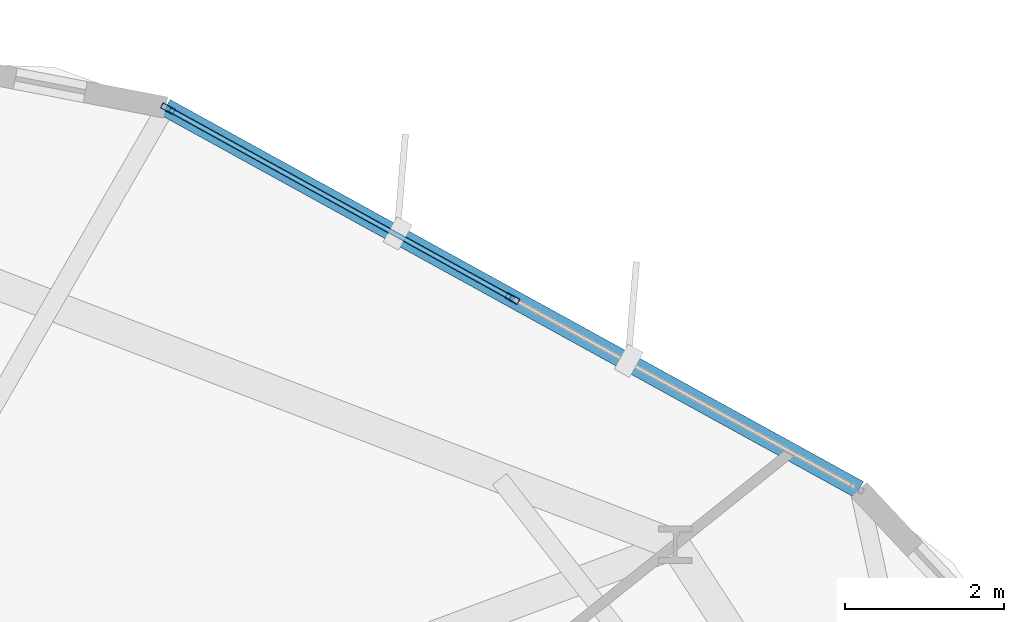
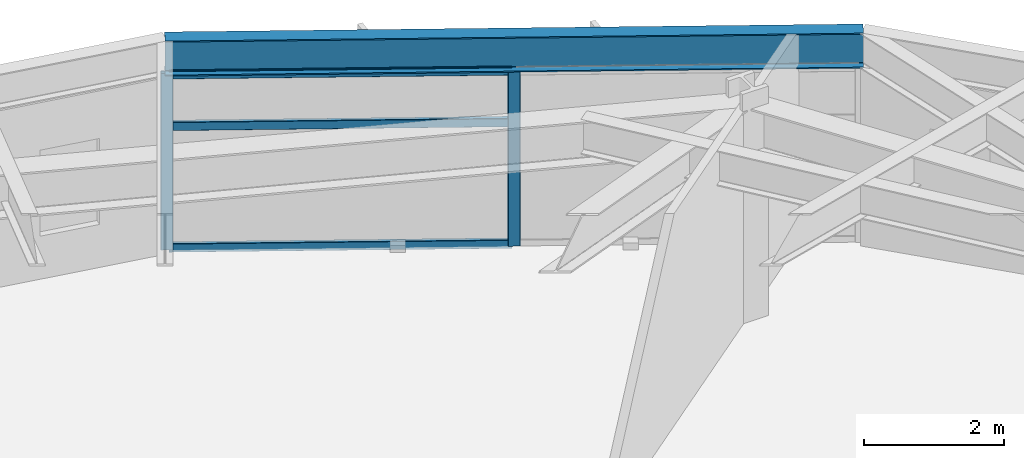
# One storey, part 13 of 22: 5 members, 1 beam, 1 element without a shape of its own.
"""IFC4 building model written with IfcOpenShell, lengths in metres."""

from ifc_helpers import new_model, si_unit, direction, frame, origin, origin_2d, place, context, subcontext, project, spatial, hollow_rectangle, i_section, extrude, material, layer, layer_set, material_profile, profile_set, type_object, element, aggregate, save


model = new_model("IFC4")

# Units and contexts
model_context = context("Model", 3, precision=1e-05, world=origin(), true_north=direction((0.0, 1.0)))
body_context = subcontext(model_context, "Body", "Model", "MODEL_VIEW")
ifc_project = project(units=[si_unit("LENGTHUNIT", "METRE"), si_unit("AREAUNIT", "SQUARE_METRE"), si_unit("VOLUMEUNIT", "CUBIC_METRE"), si_unit("PLANEANGLEUNIT", "RADIAN"), si_unit("MASSUNIT", "GRAM", prefix="KILO")], contexts=[model_context])

# Site, building, storey
site_placement = place(None, origin())
site = spatial("IfcSite", under=ifc_project, at=site_placement, CompositionType="ELEMENT")
building_placement = place(site_placement, origin())
building = spatial("IfcBuilding", under=site, at=building_placement, Name="Soratama Intermodal Tower", CompositionType="ELEMENT")
storey_placement = place(building_placement, frame((0.0, 0.0, 54.60009765625)))
storey = spatial("IfcBuildingStorey", under=building, at=storey_placement, Name="L12", CompositionType="ELEMENT", Elevation=54.60009765625)

# Beam
ifc_material_1 = material(Name="Structural steel ASTM A992 Grade 50", Category="steel")
ifc_material_profile_1 = material_profile(ifc_material_1, i_section(OverallWidth=0.22900390625, OverallDepth=0.612060546875, WebThickness=0.011962890625, FlangeThickness=0.01953125, FilletRadius=0.012939453125, at=origin_2d()), Name="W24X84")
ifc_profile_set_1 = profile_set([ifc_material_profile_1], Name="Structural steel ASTM A992 Grade 50")
beam_type = type_object("IfcBeamType", Name="BM-SPN-W24X84", PredefinedType="SPANDREL", material=ifc_profile_set_1)
beam_placement = place(storey_placement, frame((59.09912109375, 40.2451171875, 3.393798828125), z_axis=(-0.87584374358, 0.482594795694, 0.0), x_axis=(-0.482594795694, -0.87584374358, 0.0)))
element("IfcBeam", 1, at=beam_placement, inside=storey, type_object=beam_type, Name="BS-L12-F02", PredefinedType="SPANDREL", context=body_context, shape_type="SweptSolid", body=[
    extrude(i_section(OverallWidth=0.22900390625, OverallDepth=0.612060546875, WebThickness=0.011962890625, FlangeThickness=0.01953125, FilletRadius=0.012939453125, at=origin_2d()), origin(), (0.0, 0.0, 1.0), 9.979248046875),
])

# Curtain wall, members
ifc_material_2 = material(Name="Double-glazed aluminium curtain wall", Category="aluminium")
ifc_layer = layer(ifc_material_2, 0.159912109375)
ifc_layer_set = layer_set([ifc_layer], Name="Double-glazed aluminium curtain wall")
curtain_wall_type = type_object("IfcCurtainWallType", Name="CW-SYS-2", PredefinedType="NOTDEFINED", material=ifc_layer_set)
curtain_wall_placement = place(storey_placement, origin())
curtain_wall = element("IfcCurtainWall", 2, at=curtain_wall_placement, inside=storey, type_object=curtain_wall_type, Name="L12 Faceted Curtain Wall F02", PredefinedType="NOTDEFINED")
ifc_material_3 = material(Name="Anodised aluminium AA 6063-T6", Category="aluminium")
ifc_material_profile_2 = material_profile(ifc_material_3, hollow_rectangle(XDim=0.074951171875, YDim=0.179931640625, WallThickness=0.006103515625, InnerFilletRadius=0.006103515625, OuterFilletRadius=0.011962890625, at=origin_2d()), Name="CWM180X75X6")
ifc_profile_set_2 = profile_set([ifc_material_profile_2], Name="Anodised aluminium AA 6063-T6")
member_type_1 = type_object("IfcMemberType", Name="MT-CWM-2", PredefinedType="MULLION", material=ifc_profile_set_2)
member_1_placement = place(storey_placement, frame((54.728759765625, 42.65283203125, 0.0), z_axis=(0.0, 0.0, 1.0), x_axis=(-0.482677542899, -0.875798144313, 0.0)))
member_1 = element("IfcMember", 3, at=member_1_placement, type_object=member_type_1, Name="CW-2 mullion 2", PredefinedType="MULLION", context=body_context, shape_type="SweptSolid", body=[
    extrude(hollow_rectangle(XDim=0.074951171875, YDim=0.179931640625, WallThickness=0.006103515625, InnerFilletRadius=0.006103515625, OuterFilletRadius=0.011962890625, at=origin_2d()), origin(), (0.0, 0.0, 1.0), 3.078857421875),
])
member_2_placement = place(storey_placement, frame((50.38525390625, 45.046630859375, 0.0), z_axis=(0.0, 0.0, 1.0), x_axis=(-0.482677542899, -0.875798144313, 0.0)))
member_2 = element("IfcMember", 4, at=member_2_placement, type_object=member_type_1, Name="CW-2 mullion 3", PredefinedType="MULLION", context=body_context, shape_type="SweptSolid", body=[
    extrude(hollow_rectangle(XDim=0.074951171875, YDim=0.179931640625, WallThickness=0.006103515625, InnerFilletRadius=0.006103515625, OuterFilletRadius=0.011962890625, at=origin_2d()), origin(), (0.0, 0.0, 1.0), 3.078857421875),
])
ifc_material_4 = material(Name="Anodised aluminium AA 6063-T6", Category="aluminium")
ifc_material_profile_3 = material_profile(ifc_material_4, hollow_rectangle(XDim=0.06494140625, YDim=0.14990234375, WallThickness=0.0048828125, InnerFilletRadius=0.0048828125, OuterFilletRadius=0.010009765625, at=origin_2d()), Name="CWT150X65X5")
ifc_profile_set_3 = profile_set([ifc_material_profile_3], Name="Anodised aluminium AA 6063-T6")
member_type_2 = type_object("IfcMemberType", Name="TT-CWT-1", PredefinedType="USERDEFINED", material=ifc_profile_set_3)
member_3_placement = place(storey_placement, frame((54.70263671875, 42.667236328125, 0.02978515625), z_axis=(-0.875790540889, 0.482691338734, 0.0), x_axis=(-0.482691338734, -0.875790540889, 0.0)))
member_3 = element("IfcMember", 5, at=member_3_placement, type_object=member_type_2, Name="CW-2 transom 2.1", ObjectType="TRANSOM", PredefinedType="USERDEFINED", context=body_context, shape_type="SweptSolid", body=[
    extrude(hollow_rectangle(XDim=0.06494140625, YDim=0.14990234375, WallThickness=0.0048828125, InnerFilletRadius=0.0048828125, OuterFilletRadius=0.010009765625, at=origin_2d()), origin(), (0.0, 0.0, 1.0), 4.899658203125),
])
member_4_placement = place(storey_placement, frame((54.70263671875, 42.667236328125, 2.14990234375), z_axis=(-0.875790540889, 0.482691338734, 0.0), x_axis=(-0.482691338734, -0.875790540889, 0.0)))
member_4 = element("IfcMember", 6, at=member_4_placement, type_object=member_type_2, Name="CW-2 transom 2.2", ObjectType="TRANSOM", PredefinedType="USERDEFINED", context=body_context, shape_type="SweptSolid", body=[
    extrude(hollow_rectangle(XDim=0.06494140625, YDim=0.14990234375, WallThickness=0.0048828125, InnerFilletRadius=0.0048828125, OuterFilletRadius=0.010009765625, at=origin_2d()), origin(), (0.0, 0.0, 1.0), 4.899658203125),
])
member_5_placement = place(storey_placement, frame((54.70263671875, 42.667236328125, 3.048828125), z_axis=(-0.875790540889, 0.482691338734, 0.0), x_axis=(-0.482691338734, -0.875790540889, 0.0)))
member_5 = element("IfcMember", 7, at=member_5_placement, type_object=member_type_2, Name="CW-2 transom 2.3", ObjectType="TRANSOM", PredefinedType="USERDEFINED", context=body_context, shape_type="SweptSolid", body=[
    extrude(hollow_rectangle(XDim=0.06494140625, YDim=0.14990234375, WallThickness=0.0048828125, InnerFilletRadius=0.0048828125, OuterFilletRadius=0.010009765625, at=origin_2d()), origin(), (0.0, 0.0, 1.0), 4.899658203125),
])
aggregate(curtain_wall, [member_1, member_2, member_3, member_4, member_5])

save(model, "model.ifc")
